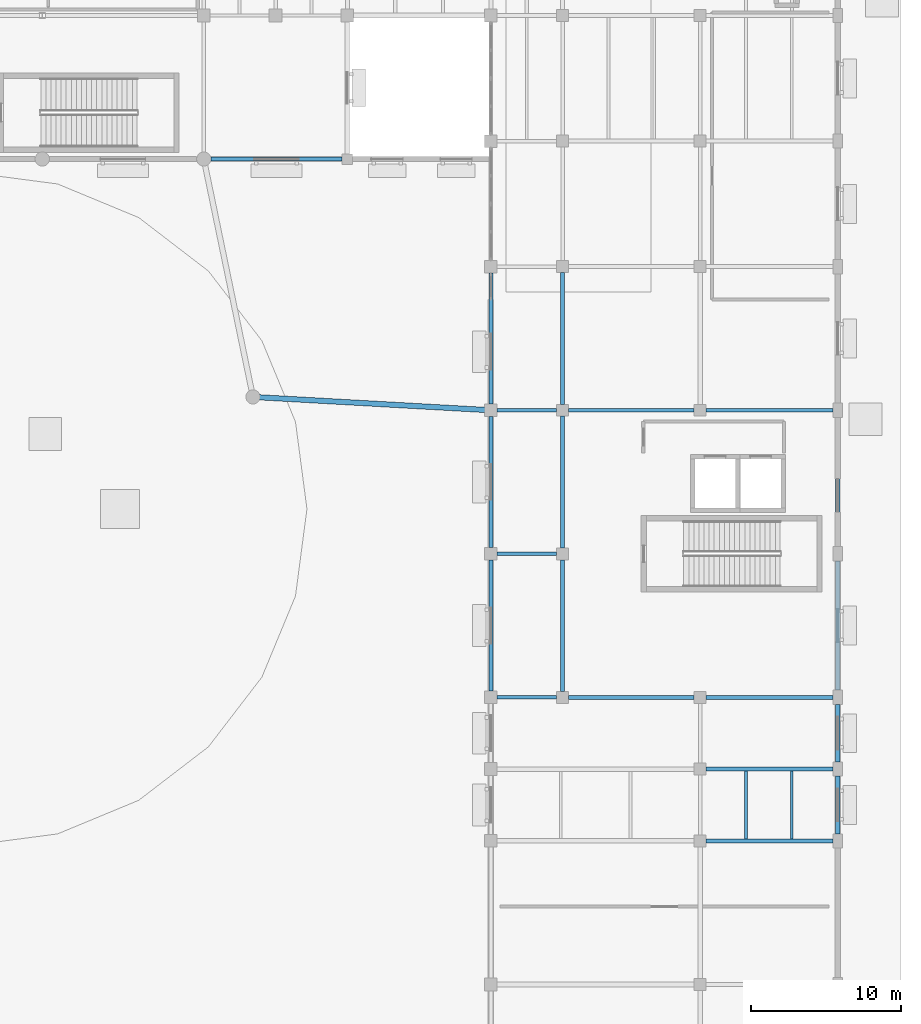
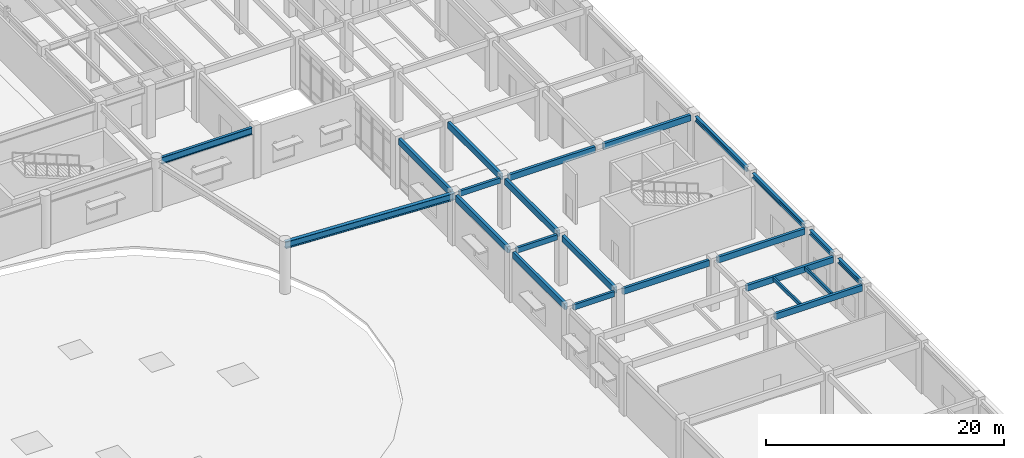
# One storey, part 18 of 54: 23 beams.
"""IFC4 building model written with IfcOpenShell, lengths in metres."""

from ifc_helpers import new_model, si_unit, direction, frame, origin, origin_2d, place, context, subcontext, project, spatial, rectangle, i_section, extrude, material, material_profile, profile_set, type_object, element, save


model = new_model("IFC4")

# Units and contexts
model_context = context("Model", 3, precision=1e-05, world=origin(), true_north=direction((0.0, 1.0)))
body_context = subcontext(model_context, "Body", "Model", "MODEL_VIEW")
ifc_project = project(units=[si_unit("LENGTHUNIT", "METRE"), si_unit("AREAUNIT", "SQUARE_METRE"), si_unit("VOLUMEUNIT", "CUBIC_METRE"), si_unit("PLANEANGLEUNIT", "RADIAN"), si_unit("MASSUNIT", "GRAM", prefix="KILO")], contexts=[model_context])

# Site, building, storey
site_placement = place(None, origin())
site = spatial("IfcSite", under=ifc_project, at=site_placement, CompositionType="ELEMENT")
building_placement = place(site_placement, origin())
building = spatial("IfcBuilding", under=site, at=building_placement, Name="Veldera Park Congress Hotel", CompositionType="ELEMENT")
storey_placement = place(building_placement, origin())
storey = spatial("IfcBuildingStorey", under=building, at=storey_placement, Name="L00", CompositionType="ELEMENT", Elevation=0.0)

# Beams
ifc_material_1 = material(Name="Glulam GL28h (NDS 24F-V4)", Category="wood")
ifc_material_profile_1 = material_profile(ifc_material_1, rectangle(XDim=0.239990234375, YDim=0.5400390625, at=origin_2d()), Name="GL28h 240x540")
ifc_profile_set_1 = profile_set([ifc_material_profile_1], Name="Glulam GL28h (NDS 24F-V4)")
beam_type_1 = type_object("IfcBeamType", Name="BM-GL540", PredefinedType="BEAM", material=ifc_profile_set_1)
for number, where, z_axis, x_axis, name in (
    (1, (61.22509765625, -18.60009765625, 4.85009765625), (1.0, 0.0, 0.0), (0.0, 1.0, 0.0), "L00 Girder BM-GL540 307"),
    (2, (61.22509765625, -9.0, 4.85009765625), (1.0, 0.0, 0.0), (0.0, 1.0, 0.0), "L00 Girder BM-GL540 313"),
    (3, (61.22509765625, 0.60009765625, 4.85009765625), (1.0, 0.0, 0.0), (0.0, 1.0, 0.0), "L00 Girder BM-GL540 316"),
):
    element("IfcBeam", number, at=place(storey_placement, frame(where, z_axis=z_axis, x_axis=x_axis)), inside=storey, type_object=beam_type_1, Name=name, PredefinedType="BEAM", context=body_context, shape_type="SweptSolid", body=[
        extrude(rectangle(XDim=0.239990234375, YDim=0.5400390625, at=origin_2d()), origin(), (0.0, 0.0, 1.0), 3.974853515625),
    ])
ifc_material_profile_2 = material_profile(ifc_material_1, rectangle(XDim=0.264892578125, YDim=0.6201171875, at=origin_2d()), Name="GL28h 265x620")
ifc_profile_set_2 = profile_set([ifc_material_profile_2], Name="Glulam GL28h (NDS 24F-V4)")
beam_type_2 = type_object("IfcBeamType", Name="BM-GL620", PredefinedType="BEAM", material=ifc_profile_set_2)
for number, where, z_axis, x_axis, name in (
    (4, (75.199951171875, -28.199951171875, 4.81005859375), (1.0, 0.0, 0.0), (0.0, 1.0, 0.0), "L00 Girder BM-GL620 296"),
    (5, (75.199951171875, -23.39990234375, 4.81005859375), (1.0, 0.0, 0.0), (0.0, 1.0, 0.0), "L00 Girder BM-GL620 298"),
):
    element("IfcBeam", number, at=place(storey_placement, frame(where, z_axis=z_axis, x_axis=x_axis)), inside=storey, type_object=beam_type_2, Name=name, PredefinedType="BEAM", context=body_context, shape_type="SweptSolid", body=[
        extrude(rectangle(XDim=0.264892578125, YDim=0.6201171875, at=origin_2d()), origin(), (0.0, 0.0, 1.0), 8.47509765625),
    ])
beam_1_placement = place(storey_placement, frame((66.0, -18.60009765625, 4.81005859375), z_axis=(1.0, 0.0, 0.0), x_axis=(0.0, 1.0, 0.0)))
element("IfcBeam", 6, at=beam_1_placement, inside=storey, type_object=beam_type_2, Name="L00 Girder BM-GL620 308", PredefinedType="BEAM", context=body_context, shape_type="SweptSolid", body=[
    extrude(rectangle(XDim=0.264892578125, YDim=0.6201171875, at=origin_2d()), origin(), (0.0, 0.0, 1.0), 8.39990234375),
])
beam_2_placement = place(storey_placement, frame((75.199951171875, -18.60009765625, 4.81005859375), z_axis=(1.0, 0.0, 0.0), x_axis=(0.0, 1.0, 0.0)))
element("IfcBeam", 7, at=beam_2_placement, inside=storey, type_object=beam_type_2, Name="L00 Girder BM-GL620 309", PredefinedType="BEAM", context=body_context, shape_type="SweptSolid", body=[
    extrude(rectangle(XDim=0.264892578125, YDim=0.6201171875, at=origin_2d()), origin(), (0.0, 0.0, 1.0), 8.47509765625),
])
beam_3_placement = place(storey_placement, frame((66.0, 0.60009765625, 4.81005859375), z_axis=(1.0, 0.0, 0.0), x_axis=(0.0, 1.0, 0.0)))
element("IfcBeam", 8, at=beam_3_placement, inside=storey, type_object=beam_type_2, Name="L00 Girder BM-GL620 317", PredefinedType="BEAM", context=body_context, shape_type="SweptSolid", body=[
    extrude(rectangle(XDim=0.264892578125, YDim=0.6201171875, at=origin_2d()), origin(), (0.0, 0.0, 1.0), 8.39990234375),
])
beam_4_placement = place(storey_placement, frame((75.199951171875, 0.60009765625, 4.81005859375), z_axis=(1.0, 0.0, 0.0), x_axis=(0.0, 1.0, 0.0)))
element("IfcBeam", 9, at=beam_4_placement, inside=storey, type_object=beam_type_2, Name="L00 Girder BM-GL620 318", PredefinedType="BEAM", context=body_context, shape_type="SweptSolid", body=[
    extrude(rectangle(XDim=0.264892578125, YDim=0.6201171875, at=origin_2d()), origin(), (0.0, 0.0, 1.0), 8.47509765625),
])
ifc_material_profile_3 = material_profile(ifc_material_1, rectangle(XDim=0.280029296875, YDim=0.639892578125, at=origin_2d()), Name="GL28h 280x640")
ifc_profile_set_3 = profile_set([ifc_material_profile_3], Name="Glulam GL28h (NDS 24F-V4)")
beam_type_3 = type_object("IfcBeamType", Name="BM-GL640", PredefinedType="BEAM", material=ifc_profile_set_3)
for number, where, z_axis, x_axis, name in (
    (10, (60.800048828125, -18.175048828125, 4.800048828125), (0.0, 1.0, 0.0), (-1.0, 0.0, 0.0), "L00 Girder BM-GL640 456"),
    (11, (60.800048828125, -8.574951171875, 4.800048828125), (0.0, 1.0, 0.0), (-1.0, 0.0, 0.0), "L00 Girder BM-GL640 457"),
    (12, (60.800048828125, 1.02490234375, 4.800048828125), (0.0, 1.0, 0.0), (-1.0, 0.0, 0.0), "L00 Girder BM-GL640 458"),
):
    element("IfcBeam", number, at=place(storey_placement, frame(where, z_axis=z_axis, x_axis=x_axis)), inside=storey, type_object=beam_type_3, Name=name, PredefinedType="BEAM", context=body_context, shape_type="SweptSolid", body=[
        extrude(rectangle(XDim=0.280029296875, YDim=0.639892578125, at=origin_2d()), origin(), (0.0, 0.0, 1.0), 8.75),
    ])
for number, where, z_axis, x_axis, name in (
    (13, (65.60009765625, -18.199951171875, 4.800048828125), (0.0, 1.0, 0.0), (-1.0, 0.0, 0.0), "L00 Girder BM-GL640 463"),
    (14, (65.60009765625, -8.60009765625, 4.800048828125), (0.0, 1.0, 0.0), (-1.0, 0.0, 0.0), "L00 Girder BM-GL640 464"),
    (15, (65.60009765625, 1.0, 4.800048828125), (0.0, 1.0, 0.0), (-1.0, 0.0, 0.0), "L00 Girder BM-GL640 465"),
):
    element("IfcBeam", number, at=place(storey_placement, frame(where, z_axis=z_axis, x_axis=x_axis)), inside=storey, type_object=beam_type_3, Name=name, PredefinedType="BEAM", context=body_context, shape_type="SweptSolid", body=[
        extrude(rectangle(XDim=0.280029296875, YDim=0.639892578125, at=origin_2d()), origin(), (0.0, 0.0, 1.0), 8.800048828125),
    ])
ifc_material_2 = material(Name="Steel ASTM A992 Gr.50", Category="steel")
ifc_material_profile_4 = material_profile(ifc_material_2, i_section(OverallWidth=0.256103515625, OverallDepth=0.693115234375, WebThickness=0.014404296875, FlangeThickness=0.023681640625, at=origin_2d()), Name="W27X114")
ifc_profile_set_4 = profile_set([ifc_material_profile_4], Name="Steel ASTM A992 Gr.50")
beam_type_4 = type_object("IfcBeamType", Name="BM-W27", PredefinedType="BEAM", material=ifc_profile_set_4)
beam_5_placement = place(storey_placement, frame((42.074951171875, 17.39990234375, 4.7734375), z_axis=(1.0, 0.0, 0.0), x_axis=(0.0, 1.0, 0.0)))
element("IfcBeam", 16, at=beam_5_placement, inside=storey, type_object=beam_type_4, Name="L00 Girder BM-W27 332", PredefinedType="BEAM", context=body_context, shape_type="SweptSolid", body=[
    extrude(i_section(OverallWidth=0.256103515625, OverallDepth=0.693115234375, WebThickness=0.014404296875, FlangeThickness=0.023681640625, at=origin_2d()), origin(), (0.0, 0.0, 1.0), 8.775146484375),
])
ifc_material_profile_5 = material_profile(ifc_material_2, i_section(OverallWidth=0.35498046875, OverallDepth=0.696044921875, WebThickness=0.015380859375, FlangeThickness=0.02490234375, at=origin_2d()), Name="W27X146")
ifc_profile_set_5 = profile_set([ifc_material_profile_5], Name="Steel ASTM A992 Gr.50")
beam_type_5 = type_object("IfcBeamType", Name="BM-W27E", PredefinedType="BEAM", material=ifc_profile_set_5)
beam_6_placement = place(storey_placement, frame((60.800048828125, 0.60009765625, 4.7900390625), z_axis=(-0.998439398409, 0.055845928264, 0.0), x_axis=(-0.055845928264, -0.998439398409, 0.0)))
element("IfcBeam", 17, at=beam_6_placement, inside=storey, type_object=beam_type_5, Name="L00 Skybridge Support Girder A E", PredefinedType="BEAM", context=body_context, shape_type="SweptSolid", body=[
    extrude(i_section(OverallWidth=0.35498046875, OverallDepth=0.696044921875, WebThickness=0.015380859375, FlangeThickness=0.02490234375, at=origin_2d()), origin(), (0.0, 0.0, 1.0), 15.934814453125),
])
ifc_material_profile_6 = material_profile(ifc_material_1, rectangle(XDim=0.179931640625, YDim=0.360107421875, at=origin_2d()), Name="GL28h 180x360")
ifc_profile_set_6 = profile_set([ifc_material_profile_6], Name="Glulam GL28h (NDS 24F-V4)")
beam_type_6 = type_object("IfcBeamType", Name="JST-GL360", PredefinedType="JOIST", material=ifc_profile_set_6)
for number, where, z_axis, x_axis, name in (
    (18, (77.86669921875, -28.0673828125, 4.93994140625), (0.0, 1.0, 0.0), (-1.0, 0.0, 0.0), "L00 Floor Joist JST-GL360 503"),
    (19, (80.933349609375, -28.0673828125, 4.93994140625), (0.0, 1.0, 0.0), (-1.0, 0.0, 0.0), "L00 Floor Joist JST-GL360 504"),
):
    element("IfcBeam", number, at=place(storey_placement, frame(where, z_axis=z_axis, x_axis=x_axis)), inside=storey, type_object=beam_type_6, Name=name, PredefinedType="JOIST", context=body_context, shape_type="SweptSolid", body=[
        extrude(rectangle(XDim=0.179931640625, YDim=0.360107421875, at=origin_2d()), origin(), (0.0, 0.0, 1.0), 4.534912109375),
    ])
ifc_material_profile_7 = material_profile(ifc_material_2, i_section(OverallWidth=0.280029296875, OverallDepth=0.462890625, WebThickness=0.0107421875, FlangeThickness=0.017333984375, at=origin_2d()), Name="W18X76")
ifc_profile_set_7 = profile_set([ifc_material_profile_7], Name="Steel ASTM A992 Gr.50")
beam_type_7 = type_object("IfcBeamType", Name="SPN-W18E", PredefinedType="SPANDREL", material=ifc_profile_set_7)
for number, where, z_axis, x_axis, name in (
    (20, (84.0, -27.72509765625, 4.888427734375), (0.0, 1.0, 0.0), (-1.0, 0.0, 0.0), "L00 Girder SPN-W18E 481"),
    (21, (84.0, -22.925048828125, 4.888427734375), (0.0, 1.0, 0.0), (-1.0, 0.0, 0.0), "L00 Girder SPN-W18E 482"),
):
    element("IfcBeam", number, at=place(storey_placement, frame(where, z_axis=z_axis, x_axis=x_axis)), inside=storey, type_object=beam_type_7, Name=name, PredefinedType="SPANDREL", context=body_context, shape_type="SweptSolid", body=[
        extrude(i_section(OverallWidth=0.280029296875, OverallDepth=0.462890625, WebThickness=0.0107421875, FlangeThickness=0.017333984375, at=origin_2d()), origin(), (0.0, 0.0, 1.0), 3.85009765625),
    ])
for number, where, z_axis, x_axis, name in (
    (22, (84.0, -18.125, 4.888427734375), (0.0, 1.0, 0.0), (-1.0, 0.0, 0.0), "L00 Girder SPN-W18E 483"),
    (23, (84.0, -8.52490234375, 4.888427734375), (0.0, 1.0, 0.0), (-1.0, 0.0, 0.0), "L00 Girder SPN-W18E 484"),
):
    element("IfcBeam", number, at=place(storey_placement, frame(where, z_axis=z_axis, x_axis=x_axis)), inside=storey, type_object=beam_type_7, Name=name, PredefinedType="SPANDREL", context=body_context, shape_type="SweptSolid", body=[
        extrude(i_section(OverallWidth=0.280029296875, OverallDepth=0.462890625, WebThickness=0.0107421875, FlangeThickness=0.017333984375, at=origin_2d()), origin(), (0.0, 0.0, 1.0), 8.64990234375),
    ])

save(model, "model.ifc")
